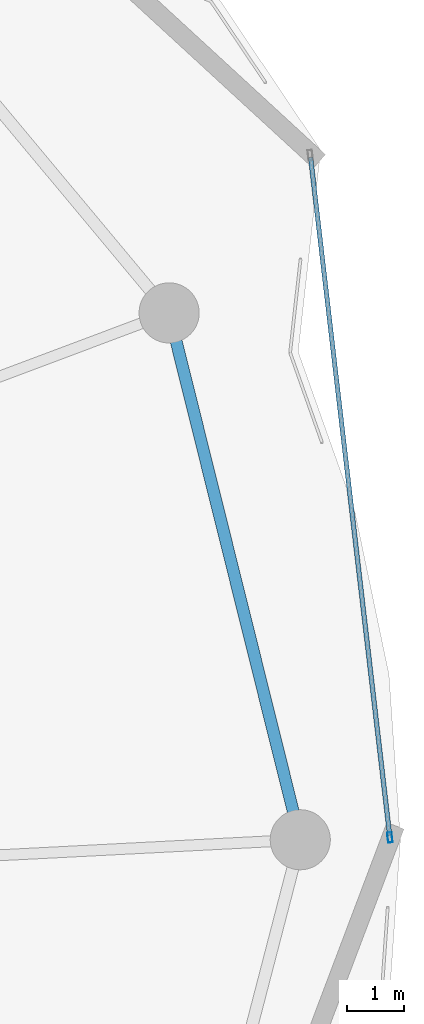
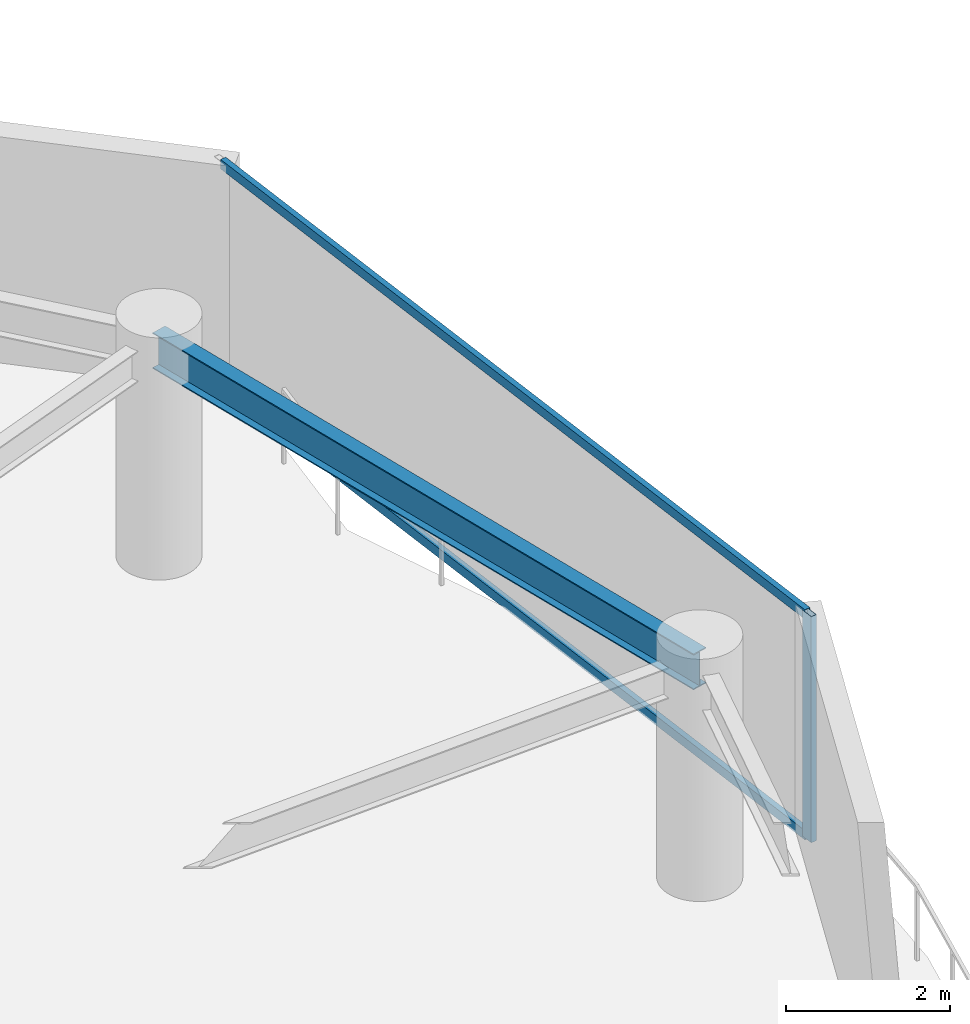
# One storey, part 16 of 31: 3 members, 1 beam, 1 element without a shape of its own.
"""IFC4 building model written with IfcOpenShell, lengths in metres."""

from ifc_helpers import new_model, si_unit, direction, frame, origin, origin_2d, place, context, subcontext, project, spatial, hollow_rectangle, i_section, extrude, material, layer, layer_set, material_profile, profile_set, type_object, element, aggregate, save


model = new_model("IFC4")

# Units and contexts
model_context = context("Model", 3, precision=1e-05, world=origin(), true_north=direction((0.0, 1.0)))
body_context = subcontext(model_context, "Body", "Model", "MODEL_VIEW")
ifc_project = project(units=[si_unit("LENGTHUNIT", "METRE"), si_unit("AREAUNIT", "SQUARE_METRE"), si_unit("VOLUMEUNIT", "CUBIC_METRE"), si_unit("PLANEANGLEUNIT", "RADIAN"), si_unit("MASSUNIT", "GRAM", prefix="KILO")], contexts=[model_context])

# Site, building, storey
site_placement = place(None, origin())
site = spatial("IfcSite", under=ifc_project, at=site_placement, CompositionType="ELEMENT")
building_placement = place(site_placement, origin())
building = spatial("IfcBuilding", under=site, at=building_placement, Name="Kazevale Care Tower and Concert Hall", CompositionType="ELEMENT")
storey_placement = place(building_placement, frame((0.0, 0.0, 202.800048828125)))
storey = spatial("IfcBuildingStorey", under=building, at=storey_placement, Name="L53", CompositionType="ELEMENT", Elevation=202.800048828125)

# Curtain wall, members
ifc_material_1 = material(Name="Aluminium 6063-T6 and Low-E Glass", Category="aluminium")
ifc_layer = layer(ifc_material_1, 0.179931640625)
ifc_layer_set = layer_set([ifc_layer], Name="Aluminium 6063-T6 and Low-E Glass")
curtain_wall_type = type_object("IfcCurtainWallType", Name="Waist & Upper Residential Curtain Wall CW-4", PredefinedType="NOTDEFINED", material=ifc_layer_set)
curtain_wall_placement = place(storey_placement, origin())
curtain_wall = element("IfcCurtainWall", 1, at=curtain_wall_placement, inside=storey, type_object=curtain_wall_type, Name="cw:L53:f18", PredefinedType="NOTDEFINED")
ifc_material_2 = material(Name="Aluminium 6063-T6", Category="aluminium")
ifc_material_profile_1 = material_profile(ifc_material_2, hollow_rectangle(XDim=0.080078125, YDim=0.179931640625, WallThickness=0.0048828125, at=origin_2d()), Name="ALU80x180x5")
ifc_profile_set_1 = profile_set([ifc_material_profile_1], Name="Aluminium 6063-T6")
member_type_1 = type_object("IfcMemberType", Name="CW-4 Mullion ALU80x180x5", PredefinedType="MULLION", material=ifc_profile_set_1)
member_1_placement = place(storey_placement, frame((76.615478515625, 38.039794921875, 0.0), z_axis=(0.0, 0.0, 1.0), x_axis=(0.993267109779, 0.115846659989, 0.0)))
member_1 = element("IfcMember", 2, at=member_1_placement, type_object=member_type_1, Name="CW-4 mullion 2", PredefinedType="MULLION", context=body_context, shape_type="SweptSolid", body=[
    extrude(hollow_rectangle(XDim=0.080078125, YDim=0.179931640625, WallThickness=0.0048828125, at=origin_2d()), origin(), (0.0, 0.0, 1.0), 3.35986328125),
])
ifc_material_profile_2 = material_profile(ifc_material_2, hollow_rectangle(XDim=0.080078125, YDim=0.139892578125, WallThickness=0.00390625, at=origin_2d()), Name="ALU80x140x4")
ifc_profile_set_2 = profile_set([ifc_material_profile_2], Name="Aluminium 6063-T6")
member_type_2 = type_object("IfcMemberType", Name="CW-4 Transom ALU80x140x4", PredefinedType="USERDEFINED", material=ifc_profile_set_2)
member_2_placement = place(storey_placement, frame((75.230224609375, 49.91552734375, 0.0400390625), z_axis=(0.115858128775, -0.993265772086, 0.0), x_axis=(0.993265772086, 0.115858128775, 0.0)))
member_2 = element("IfcMember", 3, at=member_2_placement, type_object=member_type_2, Name="CW-4 transom 1.1", ObjectType="TRANSOM", PredefinedType="USERDEFINED", context=body_context, shape_type="SweptSolid", body=[
    extrude(hollow_rectangle(XDim=0.080078125, YDim=0.139892578125, WallThickness=0.00390625, at=origin_2d()), origin(), (0.0, 0.0, 1.0), 11.91650390625),
])
member_3_placement = place(storey_placement, frame((75.230224609375, 49.91552734375, 3.320068359375), z_axis=(0.115858128775, -0.993265772086, 0.0), x_axis=(0.993265772086, 0.115858128775, 0.0)))
member_3 = element("IfcMember", 4, at=member_3_placement, type_object=member_type_2, Name="CW-4 transom 1.2", ObjectType="TRANSOM", PredefinedType="USERDEFINED", context=body_context, shape_type="SweptSolid", body=[
    extrude(hollow_rectangle(XDim=0.080078125, YDim=0.139892578125, WallThickness=0.00390625, at=origin_2d()), origin(), (0.0, 0.0, 1.0), 11.91650390625),
])
aggregate(curtain_wall, [member_1, member_2, member_3])

# Beam
ifc_material_3 = material(Name="Steel ASTM A572 Gr 50", Category="steel")
ifc_material_profile_3 = material_profile(ifc_material_3, i_section(OverallWidth=0.208984375, OverallDepth=0.532958984375, WebThickness=0.01025390625, FlangeThickness=0.015625, at=origin_2d()), Name="W530x92")
ifc_profile_set_3 = profile_set([ifc_material_profile_3], Name="Steel ASTM A572 Gr 50")
beam_type = type_object("IfcBeamType", Name="Upper Ring Beam W530x92", PredefinedType="BEAM", material=ifc_profile_set_3)
beam_placement = place(storey_placement, frame((75.050048828125, 38.0, 3.093505859375), z_axis=(-0.241547858543, 0.970388907621, 0.0), x_axis=(-0.970388907621, -0.241547858543, 0.0)))
element("IfcBeam", 5, at=beam_placement, inside=storey, type_object=beam_type, Name="beam:L53:ring:01", PredefinedType="BEAM", context=body_context, shape_type="SweptSolid", body=[
    extrude(i_section(OverallWidth=0.208984375, OverallDepth=0.532958984375, WebThickness=0.01025390625, FlangeThickness=0.015625, at=origin_2d()), origin(), (0.0, 0.0, 1.0), 9.480712890625),
])

save(model, "model.ifc")
